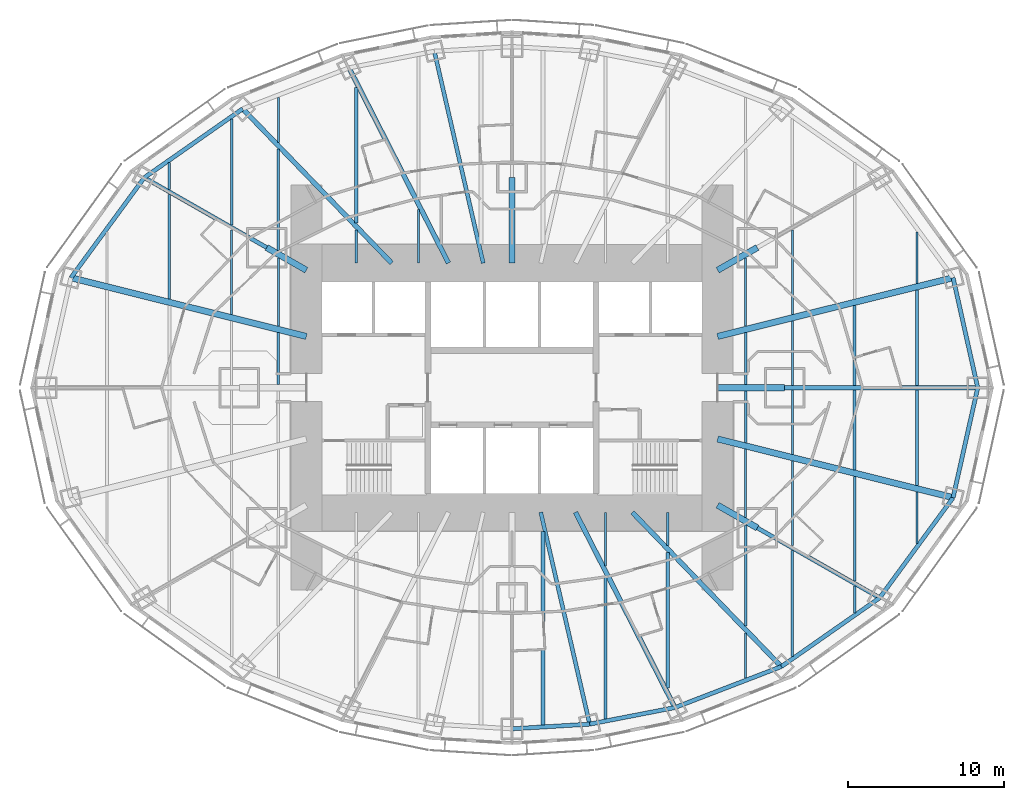
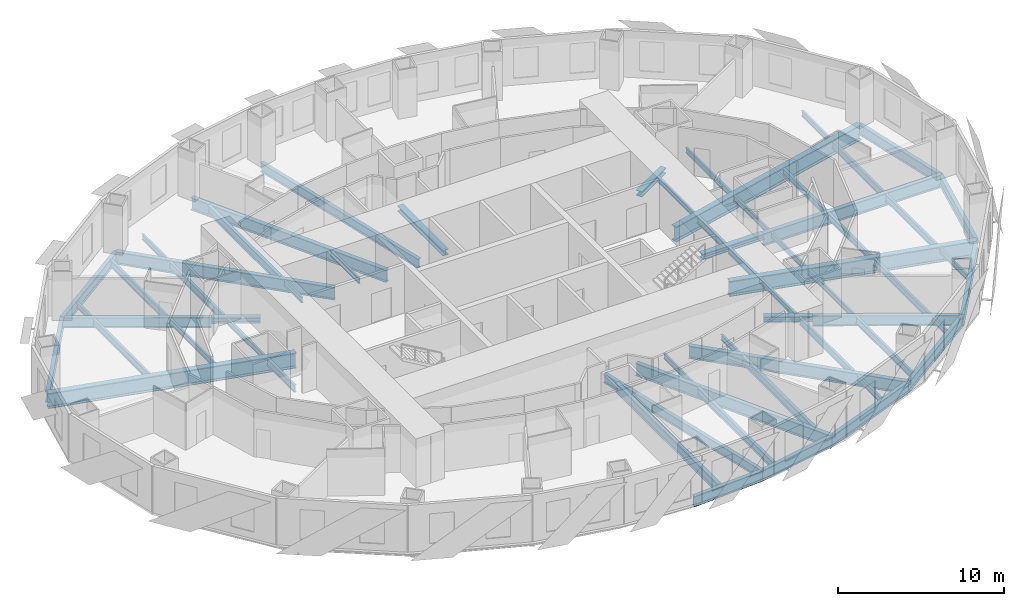
# One storey, part 2 of 15: 61 beams.
"""IFC4 building model written with IfcOpenShell, lengths in metres."""

from ifc_helpers import new_model, si_unit, direction, frame, origin, origin_2d, place, context, subcontext, project, spatial, i_section, extrude, material, material_profile, profile_set, type_object, element, save


model = new_model("IFC4")

# Units and contexts
model_context = context("Model", 3, precision=1e-05, world=origin(), true_north=direction((0.0, 1.0)))
body_context = subcontext(model_context, "Body", "Model", "MODEL_VIEW")
ifc_project = project(units=[si_unit("LENGTHUNIT", "METRE"), si_unit("AREAUNIT", "SQUARE_METRE"), si_unit("VOLUMEUNIT", "CUBIC_METRE"), si_unit("PLANEANGLEUNIT", "RADIAN"), si_unit("MASSUNIT", "GRAM", prefix="KILO")], contexts=[model_context])

# Site, building, storey
site_placement = place(None, origin())
site = spatial("IfcSite", under=ifc_project, at=site_placement, CompositionType="ELEMENT")
building_placement = place(site_placement, origin())
building = spatial("IfcBuilding", under=site, at=building_placement, Name="Lantaw Convention Tower", CompositionType="ELEMENT")
storey_placement = place(building_placement, frame((0.0, 0.0, 83.800048828125)))
storey = spatial("IfcBuildingStorey", under=building, at=storey_placement, Name="L19", CompositionType="ELEMENT", Elevation=83.800048828125)

# Beams
ifc_material = material(Name="Steel ASTM A992", Category="steel")
ifc_material_profile_1 = material_profile(ifc_material, i_section(OverallWidth=0.2666015625, OverallDepth=0.76953125, WebThickness=0.015625, FlangeThickness=0.025390625, FilletRadius=0.0126953125, at=origin_2d()), Name="W30X132")
ifc_profile_set_1 = profile_set([ifc_material_profile_1], Name="Steel ASTM A992")
beam_type_1 = type_object("IfcBeamType", Name="Beam E W30X132", PredefinedType="SPANDREL", material=ifc_profile_set_1)
beam_1_placement = place(storey_placement, frame((29.89990234375, 0.0, -0.534912109375), z_axis=(-0.218652184873, 0.975802860239, 0.0), x_axis=(-0.975802860239, -0.218652184873, 0.0)))
element("IfcBeam", 1, at=beam_1_placement, inside=storey, type_object=beam_type_1, Name="Edge beam 1", PredefinedType="SPANDREL", context=body_context, shape_type="SweptSolid", body=[
    extrude(i_section(OverallWidth=0.2666015625, OverallDepth=0.76953125, WebThickness=0.015625, FlangeThickness=0.025390625, FilletRadius=0.0126953125, at=origin_2d()), origin(), (0.0, 0.0, 1.0), 7.2353515625),
])
beam_2_placement = place(storey_placement, frame((-17.290771484375, 17.9052734375, -0.534912109375), z_axis=(-0.81942686407, -0.57318375277, 0.0), x_axis=(0.57318375277, -0.81942686407, 0.0)))
element("IfcBeam", 2, at=beam_2_placement, inside=storey, type_object=beam_type_1, Name="Edge beam 10", PredefinedType="SPANDREL", context=body_context, shape_type="SweptSolid", body=[
    extrude(i_section(OverallWidth=0.2666015625, OverallDepth=0.76953125, WebThickness=0.015625, FlangeThickness=0.025390625, FilletRadius=0.0126953125, at=origin_2d()), origin(), (0.0, 0.0, 1.0), 7.70556640625),
])
beam_3_placement = place(storey_placement, frame((-23.60498046875, 13.488525390625, -0.534912109375), z_axis=(-0.591270709086, -0.806473154281, 0.0), x_axis=(0.806473154281, -0.591270709086, 0.0)))
element("IfcBeam", 3, at=beam_3_placement, inside=storey, type_object=beam_type_1, Name="Edge beam 11", PredefinedType="SPANDREL", context=body_context, shape_type="SweptSolid", body=[
    extrude(i_section(OverallWidth=0.2666015625, OverallDepth=0.76953125, WebThickness=0.015625, FlangeThickness=0.025390625, FilletRadius=0.0126953125, at=origin_2d()), origin(), (0.0, 0.0, 1.0), 7.970703125),
])
beam_4_placement = place(storey_placement, frame((0.0, -21.89990234375, -0.534912109375), z_axis=(0.998173858406, 0.060406526096, 0.0), x_axis=(-0.060406526096, 0.998173858406, 0.0)))
element("IfcBeam", 4, at=beam_4_placement, inside=storey, type_object=beam_type_1, Name="Edge beam 19", PredefinedType="SPANDREL", context=body_context, shape_type="SweptSolid", body=[
    extrude(i_section(OverallWidth=0.2666015625, OverallDepth=0.76953125, WebThickness=0.015625, FlangeThickness=0.025390625, FilletRadius=0.0126953125, at=origin_2d()), origin(), (0.0, 0.0, 1.0), 4.995361328125),
])
beam_5_placement = place(storey_placement, frame((4.986328125, -21.59814453125, -0.534912109375), z_axis=(0.981636565323, 0.190760723474, 0.0), x_axis=(-0.190760723474, 0.981636565323, 0.0)))
element("IfcBeam", 5, at=beam_5_placement, inside=storey, type_object=beam_type_1, Name="Edge beam 20", PredefinedType="SPANDREL", context=body_context, shape_type="SweptSolid", body=[
    extrude(i_section(OverallWidth=0.2666015625, OverallDepth=0.76953125, WebThickness=0.015625, FlangeThickness=0.025390625, FilletRadius=0.0126953125, at=origin_2d()), origin(), (0.0, 0.0, 1.0), 5.578857421875),
])
beam_6_placement = place(storey_placement, frame((10.462646484375, -20.533935546875, -0.534912109375), z_axis=(0.933232900641, 0.359271976588, 0.0), x_axis=(-0.359271976588, 0.933232900641, 0.0)))
element("IfcBeam", 6, at=beam_6_placement, inside=storey, type_object=beam_type_1, Name="Edge beam 21", PredefinedType="SPANDREL", context=body_context, shape_type="SweptSolid", body=[
    extrude(i_section(OverallWidth=0.2666015625, OverallDepth=0.76953125, WebThickness=0.015625, FlangeThickness=0.025390625, FilletRadius=0.0126953125, at=origin_2d()), origin(), (0.0, 0.0, 1.0), 7.316650390625),
])
beam_7_placement = place(storey_placement, frame((17.290771484375, -17.9052734375, -0.534912109375), z_axis=(0.81942686407, 0.57318375277, 0.0), x_axis=(-0.57318375277, 0.81942686407, 0.0)))
element("IfcBeam", 7, at=beam_7_placement, inside=storey, type_object=beam_type_1, Name="Edge beam 22", PredefinedType="SPANDREL", context=body_context, shape_type="SweptSolid", body=[
    extrude(i_section(OverallWidth=0.2666015625, OverallDepth=0.76953125, WebThickness=0.015625, FlangeThickness=0.025390625, FilletRadius=0.0126953125, at=origin_2d()), origin(), (0.0, 0.0, 1.0), 7.70556640625),
])
beam_8_placement = place(storey_placement, frame((23.60498046875, -13.488525390625, -0.534912109375), z_axis=(0.591270709086, 0.806473154281, 0.0), x_axis=(-0.806473154281, 0.591270709086, 0.0)))
element("IfcBeam", 8, at=beam_8_placement, inside=storey, type_object=beam_type_1, Name="Edge beam 23", PredefinedType="SPANDREL", context=body_context, shape_type="SweptSolid", body=[
    extrude(i_section(OverallWidth=0.2666015625, OverallDepth=0.76953125, WebThickness=0.015625, FlangeThickness=0.025390625, FilletRadius=0.0126953125, at=origin_2d()), origin(), (0.0, 0.0, 1.0), 7.970703125),
])
beam_9_placement = place(storey_placement, frame((28.31787109375, -7.060302734375, -0.534912109375), z_axis=(0.218652184873, 0.975802860239, 0.0), x_axis=(-0.975802860239, 0.218652184873, 0.0)))
element("IfcBeam", 9, at=beam_9_placement, inside=storey, type_object=beam_type_1, Name="Edge beam 24", PredefinedType="SPANDREL", context=body_context, shape_type="SweptSolid", body=[
    extrude(i_section(OverallWidth=0.2666015625, OverallDepth=0.76953125, WebThickness=0.015625, FlangeThickness=0.025390625, FilletRadius=0.0126953125, at=origin_2d()), origin(), (0.0, 0.0, 1.0), 7.2353515625),
])
ifc_material_profile_2 = material_profile(ifc_material, i_section(OverallWidth=0.25390625, OverallDepth=0.683349609375, WebThickness=0.012451171875, FlangeThickness=0.01904296875, FilletRadius=0.01513671875, at=origin_2d()), Name="W27X94")
ifc_profile_set_2 = profile_set([ifc_material_profile_2], Name="Steel ASTM A992")
beam_type_2 = type_object("IfcBeamType", Name="Beam G W27X94", PredefinedType="BEAM", material=ifc_profile_set_2)
for number, where, z_axis, x_axis, name in (
    (10, (-1.846923828125, 8.0, -0.49169921875), (-0.224952773175, 0.97436966796, 0.0), (-0.97436966796, -0.224952773175, 0.0), "Floor girder on ray 8"),
    (11, (1.846923828125, -8.0, -0.49169921875), (0.224952773175, -0.97436966796, 0.0), (0.97436966796, 0.224952773175, 0.0), "Floor girder on ray 20"),
):
    element("IfcBeam", number, at=place(storey_placement, frame(where, z_axis=z_axis, x_axis=x_axis)), inside=storey, type_object=beam_type_2, Name=name, PredefinedType="BEAM", context=body_context, shape_type="SweptSolid", body=[
        extrude(i_section(OverallWidth=0.25390625, OverallDepth=0.683349609375, WebThickness=0.012451171875, FlangeThickness=0.01904296875, FilletRadius=0.01513671875, at=origin_2d()), origin(), (0.0, 0.0, 1.0), 13.955810546875),
    ])
ifc_material_profile_3 = material_profile(ifc_material, i_section(OverallWidth=0.2666015625, OverallDepth=0.7568359375, WebThickness=0.013916015625, FlangeThickness=0.019287109375, FilletRadius=0.0126953125, at=origin_2d()), Name="W30X108")
ifc_profile_set_3 = profile_set([ifc_material_profile_3], Name="Steel ASTM A992")
beam_type_3 = type_object("IfcBeamType", Name="Beam G W30X108", PredefinedType="BEAM", material=ifc_profile_set_3)
for number, where, z_axis, x_axis, name in (
    (12, (-15.75, 9.0, -0.528564453125), (-0.868244802791, 0.496136032179, 0.0), (-0.496136032179, -0.868244802791, 0.0), "Floor girder on ray 11"),
    (13, (15.75, -9.0, -0.528564453125), (0.868244802791, -0.496136032179, 0.0), (0.496136032179, 0.868244802791, 0.0), "Floor girder on ray 23"),
):
    element("IfcBeam", number, at=place(storey_placement, frame(where, z_axis=z_axis, x_axis=x_axis)), inside=storey, type_object=beam_type_3, Name=name, PredefinedType="BEAM", context=body_context, shape_type="SweptSolid", body=[
        extrude(i_section(OverallWidth=0.2666015625, OverallDepth=0.7568359375, WebThickness=0.013916015625, FlangeThickness=0.019287109375, FilletRadius=0.0126953125, at=origin_2d()), origin(), (0.0, 0.0, 1.0), 9.046875),
    ])
ifc_material_profile_4 = material_profile(ifc_material, i_section(OverallWidth=0.307373046875, OverallDepth=0.922119140625, WebThickness=0.018310546875, FlangeThickness=0.030029296875, FilletRadius=0.0126953125, at=origin_2d()), Name="W36X182")
ifc_profile_set_4 = profile_set([ifc_material_profile_4], Name="Steel ASTM A992")
beam_type_4 = type_object("IfcBeamType", Name="Beam G W36X182", PredefinedType="BEAM", material=ifc_profile_set_4)
beam_10_placement = place(storey_placement, frame((17.5, 0.0, -0.611083984375), z_axis=(1.0, 0.0, 0.0), x_axis=(0.0, 1.0, 0.0)))
element("IfcBeam", 14, at=beam_10_placement, inside=storey, type_object=beam_type_4, Name="Floor girder on ray 1", PredefinedType="BEAM", context=body_context, shape_type="SweptSolid", body=[
    extrude(i_section(OverallWidth=0.307373046875, OverallDepth=0.922119140625, WebThickness=0.018310546875, FlangeThickness=0.030029296875, FilletRadius=0.0126953125, at=origin_2d()), origin(), (0.0, 0.0, 1.0), 12.39990234375),
])
beam_11_placement = place(storey_placement, frame((-4.076171875, 8.0, -0.611083984375), z_axis=(-0.453997016122, 0.891003203896, 0.0), x_axis=(-0.891003203896, -0.453997016122, 0.0)))
element("IfcBeam", 15, at=beam_11_placement, inside=storey, type_object=beam_type_4, Name="Floor girder on ray 9", PredefinedType="BEAM", context=body_context, shape_type="SweptSolid", body=[
    extrude(i_section(OverallWidth=0.307373046875, OverallDepth=0.922119140625, WebThickness=0.018310546875, FlangeThickness=0.030029296875, FilletRadius=0.0126953125, at=origin_2d()), origin(), (0.0, 0.0, 1.0), 14.067138671875),
])
beam_12_placement = place(storey_placement, frame((-7.7255859375, 8.0, -0.611083984375), z_axis=(-0.694649884291, 0.719347995239, 0.0), x_axis=(-0.719347995239, -0.694649884291, 0.0)))
element("IfcBeam", 16, at=beam_12_placement, inside=storey, type_object=beam_type_4, Name="Floor girder on ray 10", PredefinedType="BEAM", context=body_context, shape_type="SweptSolid", body=[
    extrude(i_section(OverallWidth=0.307373046875, OverallDepth=0.922119140625, WebThickness=0.018310546875, FlangeThickness=0.030029296875, FilletRadius=0.0126953125, at=origin_2d()), origin(), (0.0, 0.0, 1.0), 13.769775390625),
])
beam_13_placement = place(storey_placement, frame((4.076171875, -8.0, -0.611083984375), z_axis=(0.453997016122, -0.891003203896, 0.0), x_axis=(0.891003203896, 0.453997016122, 0.0)))
element("IfcBeam", 17, at=beam_13_placement, inside=storey, type_object=beam_type_4, Name="Floor girder on ray 21", PredefinedType="BEAM", context=body_context, shape_type="SweptSolid", body=[
    extrude(i_section(OverallWidth=0.307373046875, OverallDepth=0.922119140625, WebThickness=0.018310546875, FlangeThickness=0.030029296875, FilletRadius=0.0126953125, at=origin_2d()), origin(), (0.0, 0.0, 1.0), 14.067138671875),
])
beam_14_placement = place(storey_placement, frame((7.7255859375, -8.0, -0.611083984375), z_axis=(0.694649884291, -0.719347995239, 0.0), x_axis=(0.719347995239, 0.694649884291, 0.0)))
element("IfcBeam", 18, at=beam_14_placement, inside=storey, type_object=beam_type_4, Name="Floor girder on ray 22", PredefinedType="BEAM", context=body_context, shape_type="SweptSolid", body=[
    extrude(i_section(OverallWidth=0.307373046875, OverallDepth=0.922119140625, WebThickness=0.018310546875, FlangeThickness=0.030029296875, FilletRadius=0.0126953125, at=origin_2d()), origin(), (0.0, 0.0, 1.0), 13.769775390625),
])
ifc_material_profile_5 = material_profile(ifc_material, i_section(OverallWidth=0.40380859375, OverallDepth=1.11767578125, WebThickness=0.026123046875, FlangeThickness=0.044921875, FilletRadius=0.02001953125, at=origin_2d()), Name="W44X335")
ifc_profile_set_5 = profile_set([ifc_material_profile_5], Name="Steel ASTM A992")
beam_type_5 = type_object("IfcBeamType", Name="Beam G W44X335", PredefinedType="BEAM", material=ifc_profile_set_5)
for number, where, z_axis, x_axis, name in (
    (19, (13.199951171875, 3.291015625, -0.708740234375), (0.970296233567, 0.241919860957, 0.0), (-0.241919860957, 0.970296233567, 0.0), "Floor girder on ray 2"),
    (20, (-13.199951171875, 3.291015625, -0.708740234375), (-0.970296233567, 0.241919860957, 0.0), (-0.241919860957, -0.970296233567, 0.0), "Floor girder on ray 12"),
    (21, (13.199951171875, -3.291015625, -0.708740234375), (0.970296233567, -0.241919860957, 0.0), (0.241919860957, 0.970296233567, 0.0), "Floor girder on ray 24"),
):
    element("IfcBeam", number, at=place(storey_placement, frame(where, z_axis=z_axis, x_axis=x_axis)), inside=storey, type_object=beam_type_5, Name=name, PredefinedType="BEAM", context=body_context, shape_type="SweptSolid", body=[
        extrude(i_section(OverallWidth=0.40380859375, OverallDepth=1.11767578125, WebThickness=0.026123046875, FlangeThickness=0.044921875, FilletRadius=0.02001953125, at=origin_2d()), origin(), (0.0, 0.0, 1.0), 15.580810546875),
    ])
ifc_material_profile_6 = material_profile(ifc_material, i_section(OverallWidth=0.40380859375, OverallDepth=0.406494140625, WebThickness=0.027099609375, FlangeThickness=0.043701171875, FilletRadius=0.01513671875, at=origin_2d()), Name="W14X233")
ifc_profile_set_6 = profile_set([ifc_material_profile_6], Name="Steel ASTM A992")
beam_type_6 = type_object("IfcBeamType", Name="Beam GM W14X233", PredefinedType="BEAM", material=ifc_profile_set_6)
beam_15_placement = place(storey_placement, frame((13.199951171875, 0.0, -0.353271484375), z_axis=(1.0, 0.0, 0.0), x_axis=(0.0, 1.0, 0.0)))
element("IfcBeam", 22, at=beam_15_placement, inside=storey, type_object=beam_type_6, Name="Core link beam on ray 1", PredefinedType="BEAM", context=body_context, shape_type="SweptSolid", body=[
    extrude(i_section(OverallWidth=0.40380859375, OverallDepth=0.406494140625, WebThickness=0.027099609375, FlangeThickness=0.043701171875, FilletRadius=0.01513671875, at=origin_2d()), origin(), (0.0, 0.0, 1.0), 4.300048828125),
])
beam_16_placement = place(storey_placement, frame((13.199951171875, 7.54296875, -0.353271484375), z_axis=(0.868263603466, 0.496103129295, 0.0), x_axis=(-0.496103129295, 0.868263603466, 0.0)))
element("IfcBeam", 23, at=beam_16_placement, inside=storey, type_object=beam_type_6, Name="Core link beam on ray 3", PredefinedType="BEAM", context=body_context, shape_type="SweptSolid", body=[
    extrude(i_section(OverallWidth=0.40380859375, OverallDepth=0.406494140625, WebThickness=0.027099609375, FlangeThickness=0.043701171875, FilletRadius=0.01513671875, at=origin_2d()), origin(), (0.0, 0.0, 1.0), 2.93701171875),
])
beam_17_placement = place(storey_placement, frame((0.0, 8.0, -0.353271484375), z_axis=(0.0, 1.0, 0.0), x_axis=(-1.0, 0.0, 0.0)))
element("IfcBeam", 24, at=beam_17_placement, inside=storey, type_object=beam_type_6, Name="Core link beam on ray 7", PredefinedType="BEAM", context=body_context, shape_type="SweptSolid", body=[
    extrude(i_section(OverallWidth=0.40380859375, OverallDepth=0.406494140625, WebThickness=0.027099609375, FlangeThickness=0.043701171875, FilletRadius=0.01513671875, at=origin_2d()), origin(), (0.0, 0.0, 1.0), 5.5),
])
for number, where, z_axis, x_axis, name in (
    (25, (-13.199951171875, 7.54296875, -0.353271484375), (-0.868263603466, 0.496103129295, 0.0), (-0.496103129295, -0.868263603466, 0.0), "Core link beam on ray 11"),
    (26, (13.199951171875, -7.54296875, -0.353271484375), (0.868263603466, -0.496103129295, 0.0), (0.496103129295, 0.868263603466, 0.0), "Core link beam on ray 23"),
):
    element("IfcBeam", number, at=place(storey_placement, frame(where, z_axis=z_axis, x_axis=x_axis)), inside=storey, type_object=beam_type_6, Name=name, PredefinedType="BEAM", context=body_context, shape_type="SweptSolid", body=[
        extrude(i_section(OverallWidth=0.40380859375, OverallDepth=0.406494140625, WebThickness=0.027099609375, FlangeThickness=0.043701171875, FilletRadius=0.01513671875, at=origin_2d()), origin(), (0.0, 0.0, 1.0), 2.93701171875),
    ])
ifc_material_profile_7 = material_profile(ifc_material, i_section(OverallWidth=0.140380859375, OverallDepth=0.40380859375, WebThickness=0.007080078125, FlangeThickness=0.01123046875, FilletRadius=0.01025390625, at=origin_2d()), Name="W16X31")
ifc_profile_set_7 = profile_set([ifc_material_profile_7], Name="Steel ASTM A992")
beam_type_7 = type_object("IfcBeamType", Name="Beam J W16X31", PredefinedType="JOIST", material=ifc_profile_set_7)
beam_18_placement = place(storey_placement, frame((-22.0, 12.72509765625, -0.35205078125), z_axis=(0.0, 1.0, 0.0), x_axis=(-1.0, 0.0, 0.0)))
element("IfcBeam", 27, at=beam_18_placement, inside=storey, type_object=beam_type_7, Name="Floor joist", PredefinedType="JOIST", context=body_context, shape_type="SweptSolid", body=[
    extrude(i_section(OverallWidth=0.140380859375, OverallDepth=0.40380859375, WebThickness=0.007080078125, FlangeThickness=0.01123046875, FilletRadius=0.01025390625, at=origin_2d()), origin(), (0.0, 0.0, 1.0), 1.723388671875),
])
beam_19_placement = place(storey_placement, frame((-18.0, 4.696044921875, -0.35205078125), z_axis=(0.0, 1.0, 0.0), x_axis=(-1.0, 0.0, 0.0)))
element("IfcBeam", 28, at=beam_19_placement, inside=storey, type_object=beam_type_7, Name="Floor joist", PredefinedType="JOIST", context=body_context, shape_type="SweptSolid", body=[
    extrude(i_section(OverallWidth=0.140380859375, OverallDepth=0.40380859375, WebThickness=0.007080078125, FlangeThickness=0.01123046875, FilletRadius=0.01025390625, at=origin_2d()), origin(), (0.0, 0.0, 1.0), 5.43603515625),
])
beam_20_placement = place(storey_placement, frame((-15.0, 3.947998046875, -0.35205078125), z_axis=(0.0, 1.0, 0.0), x_axis=(-1.0, 0.0, 0.0)))
element("IfcBeam", 29, at=beam_20_placement, inside=storey, type_object=beam_type_7, Name="Floor joist", PredefinedType="JOIST", context=body_context, shape_type="SweptSolid", body=[
    extrude(i_section(OverallWidth=0.140380859375, OverallDepth=0.40380859375, WebThickness=0.007080078125, FlangeThickness=0.01123046875, FilletRadius=0.01025390625, at=origin_2d()), origin(), (0.0, 0.0, 1.0), 4.390869140625),
])
beam_21_placement = place(storey_placement, frame((-15.0, 15.754150390625, -0.35205078125), z_axis=(0.0, 1.0, 0.0), x_axis=(-1.0, 0.0, 0.0)))
element("IfcBeam", 30, at=beam_21_placement, inside=storey, type_object=beam_type_7, Name="Floor joist", PredefinedType="JOIST", context=body_context, shape_type="SweptSolid", body=[
    extrude(i_section(OverallWidth=0.140380859375, OverallDepth=0.40380859375, WebThickness=0.007080078125, FlangeThickness=0.01123046875, FilletRadius=0.01025390625, at=origin_2d()), origin(), (0.0, 0.0, 1.0), 2.89013671875),
])
beam_22_placement = place(storey_placement, frame((-10.0, 8.0, -0.35205078125), z_axis=(0.0, 1.0, 0.0), x_axis=(-1.0, 0.0, 0.0)))
element("IfcBeam", 31, at=beam_22_placement, inside=storey, type_object=beam_type_7, Name="Floor joist", PredefinedType="JOIST", context=body_context, shape_type="SweptSolid", body=[
    extrude(i_section(OverallWidth=0.140380859375, OverallDepth=0.40380859375, WebThickness=0.007080078125, FlangeThickness=0.01123046875, FilletRadius=0.01025390625, at=origin_2d()), origin(), (0.0, 0.0, 1.0), 2.134033203125),
])
for number, where, z_axis, x_axis, name in (
    (32, (-6.0, 8.0, -0.35205078125), (0.0, 1.0, 0.0), (-1.0, 0.0, 0.0), "Floor joist"),
    (33, (6.0, -11.437255859375, -0.35205078125), (0.0, 1.0, 0.0), (-1.0, 0.0, 0.0), "Floor joist"),
):
    element("IfcBeam", number, at=place(storey_placement, frame(where, z_axis=z_axis, x_axis=x_axis)), inside=storey, type_object=beam_type_7, Name=name, PredefinedType="JOIST", context=body_context, shape_type="SweptSolid", body=[
        extrude(i_section(OverallWidth=0.140380859375, OverallDepth=0.40380859375, WebThickness=0.007080078125, FlangeThickness=0.01123046875, FilletRadius=0.01025390625, at=origin_2d()), origin(), (0.0, 0.0, 1.0), 3.437255859375),
    ])
beam_23_placement = place(storey_placement, frame((10.0, -10.134033203125, -0.35205078125), z_axis=(0.0, 1.0, 0.0), x_axis=(-1.0, 0.0, 0.0)))
element("IfcBeam", 34, at=beam_23_placement, inside=storey, type_object=beam_type_7, Name="Floor joist", PredefinedType="JOIST", context=body_context, shape_type="SweptSolid", body=[
    extrude(i_section(OverallWidth=0.140380859375, OverallDepth=0.40380859375, WebThickness=0.007080078125, FlangeThickness=0.01123046875, FilletRadius=0.01025390625, at=origin_2d()), origin(), (0.0, 0.0, 1.0), 2.134033203125),
])
beam_24_placement = place(storey_placement, frame((15.0, -18.644287109375, -0.35205078125), z_axis=(0.0, 1.0, 0.0), x_axis=(-1.0, 0.0, 0.0)))
element("IfcBeam", 35, at=beam_24_placement, inside=storey, type_object=beam_type_7, Name="Floor joist", PredefinedType="JOIST", context=body_context, shape_type="SweptSolid", body=[
    extrude(i_section(OverallWidth=0.140380859375, OverallDepth=0.40380859375, WebThickness=0.007080078125, FlangeThickness=0.01123046875, FilletRadius=0.01025390625, at=origin_2d()), origin(), (0.0, 0.0, 1.0), 2.89013671875),
])
for number, where, z_axis, x_axis, name in (
    (36, (15.0, -8.3388671875, -0.35205078125), (0.0, 1.0, 0.0), (-1.0, 0.0, 0.0), "Floor joist"),
    (37, (15.0, 3.947998046875, -0.35205078125), (0.0, 1.0, 0.0), (-1.0, 0.0, 0.0), "Floor joist"),
):
    element("IfcBeam", number, at=place(storey_placement, frame(where, z_axis=z_axis, x_axis=x_axis)), inside=storey, type_object=beam_type_7, Name=name, PredefinedType="JOIST", context=body_context, shape_type="SweptSolid", body=[
        extrude(i_section(OverallWidth=0.140380859375, OverallDepth=0.40380859375, WebThickness=0.007080078125, FlangeThickness=0.01123046875, FilletRadius=0.01025390625, at=origin_2d()), origin(), (0.0, 0.0, 1.0), 4.390869140625),
    ])
beam_25_placement = place(storey_placement, frame((18.0, -10.132080078125, -0.35205078125), z_axis=(0.0, 1.0, 0.0), x_axis=(-1.0, 0.0, 0.0)))
element("IfcBeam", 38, at=beam_25_placement, inside=storey, type_object=beam_type_7, Name="Floor joist", PredefinedType="JOIST", context=body_context, shape_type="SweptSolid", body=[
    extrude(i_section(OverallWidth=0.140380859375, OverallDepth=0.40380859375, WebThickness=0.007080078125, FlangeThickness=0.01123046875, FilletRadius=0.01025390625, at=origin_2d()), origin(), (0.0, 0.0, 1.0), 5.43603515625),
])
for number, where, z_axis, x_axis, name in (
    (39, (18.0, -4.27978515625, -0.35205078125), (0.0, 1.0, 0.0), (-1.0, 0.0, 0.0), "Floor joist"),
    (40, (18.0, 0.153564453125, -0.35205078125), (0.0, 1.0, 0.0), (-1.0, 0.0, 0.0), "Floor joist"),
):
    element("IfcBeam", number, at=place(storey_placement, frame(where, z_axis=z_axis, x_axis=x_axis)), inside=storey, type_object=beam_type_7, Name=name, PredefinedType="JOIST", context=body_context, shape_type="SweptSolid", body=[
        extrude(i_section(OverallWidth=0.140380859375, OverallDepth=0.40380859375, WebThickness=0.007080078125, FlangeThickness=0.01123046875, FilletRadius=0.01025390625, at=origin_2d()), origin(), (0.0, 0.0, 1.0), 4.126220703125),
    ])
beam_26_placement = place(storey_placement, frame((18.0, 4.696044921875, -0.35205078125), z_axis=(0.0, 1.0, 0.0), x_axis=(-1.0, 0.0, 0.0)))
element("IfcBeam", 41, at=beam_26_placement, inside=storey, type_object=beam_type_7, Name="Floor joist", PredefinedType="JOIST", context=body_context, shape_type="SweptSolid", body=[
    extrude(i_section(OverallWidth=0.140380859375, OverallDepth=0.40380859375, WebThickness=0.007080078125, FlangeThickness=0.01123046875, FilletRadius=0.01025390625, at=origin_2d()), origin(), (0.0, 0.0, 1.0), 5.43603515625),
])
beam_27_placement = place(storey_placement, frame((22.0, -14.448486328125, -0.35205078125), z_axis=(0.0, 1.0, 0.0), x_axis=(-1.0, 0.0, 0.0)))
element("IfcBeam", 42, at=beam_27_placement, inside=storey, type_object=beam_type_7, Name="Floor joist", PredefinedType="JOIST", context=body_context, shape_type="SweptSolid", body=[
    extrude(i_section(OverallWidth=0.140380859375, OverallDepth=0.40380859375, WebThickness=0.007080078125, FlangeThickness=0.01123046875, FilletRadius=0.01025390625, at=origin_2d()), origin(), (0.0, 0.0, 1.0), 1.723388671875),
])
for number, where, z_axis, x_axis, name in (
    (43, (26.0, -9.996337890625, -0.35205078125), (0.0, 1.0, 0.0), (-1.0, 0.0, 0.0), "Floor joist"),
    (44, (26.0, 6.690673828125, -0.35205078125), (0.0, 1.0, 0.0), (-1.0, 0.0, 0.0), "Floor joist"),
):
    element("IfcBeam", number, at=place(storey_placement, frame(where, z_axis=z_axis, x_axis=x_axis)), inside=storey, type_object=beam_type_7, Name=name, PredefinedType="JOIST", context=body_context, shape_type="SweptSolid", body=[
        extrude(i_section(OverallWidth=0.140380859375, OverallDepth=0.40380859375, WebThickness=0.007080078125, FlangeThickness=0.01123046875, FilletRadius=0.01025390625, at=origin_2d()), origin(), (0.0, 0.0, 1.0), 3.3056640625),
    ])
ifc_material_profile_8 = material_profile(ifc_material, i_section(OverallWidth=0.1904296875, OverallDepth=0.457275390625, WebThickness=0.009033203125, FlangeThickness=0.014404296875, FilletRadius=0.01025390625, at=origin_2d()), Name="W18X50")
ifc_profile_set_8 = profile_set([ifc_material_profile_8], Name="Steel ASTM A992")
beam_type_8 = type_object("IfcBeamType", Name="Beam J W18X50", PredefinedType="JOIST", material=ifc_profile_set_8)
for number, where, z_axis, x_axis, name in (
    (45, (22.0, -5.277099609375, -0.378662109375), (0.0, 1.0, 0.0), (-1.0, 0.0, 0.0), "Floor joist"),
    (46, (22.0, 0.153564453125, -0.378662109375), (0.0, 1.0, 0.0), (-1.0, 0.0, 0.0), "Floor joist"),
):
    element("IfcBeam", number, at=place(storey_placement, frame(where, z_axis=z_axis, x_axis=x_axis)), inside=storey, type_object=beam_type_8, Name=name, PredefinedType="JOIST", context=body_context, shape_type="SweptSolid", body=[
        extrude(i_section(OverallWidth=0.1904296875, OverallDepth=0.457275390625, WebThickness=0.009033203125, FlangeThickness=0.014404296875, FilletRadius=0.01025390625, at=origin_2d()), origin(), (0.0, 0.0, 1.0), 5.12353515625),
    ])
ifc_material_profile_9 = material_profile(ifc_material, i_section(OverallWidth=0.1650390625, OverallDepth=0.52587890625, WebThickness=0.0087890625, FlangeThickness=0.011474609375, FilletRadius=0.0126953125, at=origin_2d()), Name="W21X44")
ifc_profile_set_9 = profile_set([ifc_material_profile_9], Name="Steel ASTM A992")
beam_type_9 = type_object("IfcBeamType", Name="Beam J W21X44", PredefinedType="JOIST", material=ifc_profile_set_9)
beam_28_placement = place(storey_placement, frame((-22.0, 5.693359375, -0.412841796875), z_axis=(0.0, 1.0, 0.0), x_axis=(-1.0, 0.0, 0.0)))
element("IfcBeam", 47, at=beam_28_placement, inside=storey, type_object=beam_type_9, Name="Floor joist", PredefinedType="JOIST", context=body_context, shape_type="SweptSolid", body=[
    extrude(i_section(OverallWidth=0.1650390625, OverallDepth=0.52587890625, WebThickness=0.0087890625, FlangeThickness=0.011474609375, FilletRadius=0.0126953125, at=origin_2d()), origin(), (0.0, 0.0, 1.0), 6.724609375),
])
beam_29_placement = place(storey_placement, frame((-18.0, 10.439208984375, -0.412841796875), z_axis=(0.0, 1.0, 0.0), x_axis=(-1.0, 0.0, 0.0)))
element("IfcBeam", 48, at=beam_29_placement, inside=storey, type_object=beam_type_9, Name="Floor joist", PredefinedType="JOIST", context=body_context, shape_type="SweptSolid", body=[
    extrude(i_section(OverallWidth=0.1650390625, OverallDepth=0.52587890625, WebThickness=0.0087890625, FlangeThickness=0.011474609375, FilletRadius=0.0126953125, at=origin_2d()), origin(), (0.0, 0.0, 1.0), 6.80712890625),
])
for number, where, z_axis, x_axis, name in (
    (49, (-15.0, 8.803955078125, -0.412841796875), (0.0, 1.0, 0.0), (-1.0, 0.0, 0.0), "Floor joist"),
    (50, (15.0, -15.311767578125, -0.412841796875), (0.0, 1.0, 0.0), (-1.0, 0.0, 0.0), "Floor joist"),
):
    element("IfcBeam", number, at=place(storey_placement, frame(where, z_axis=z_axis, x_axis=x_axis)), inside=storey, type_object=beam_type_9, Name=name, PredefinedType="JOIST", context=body_context, shape_type="SweptSolid", body=[
        extrude(i_section(OverallWidth=0.1650390625, OverallDepth=0.52587890625, WebThickness=0.0087890625, FlangeThickness=0.011474609375, FilletRadius=0.0126953125, at=origin_2d()), origin(), (0.0, 0.0, 1.0), 6.5078125),
    ])
beam_30_placement = place(storey_placement, frame((18.0, -17.246337890625, -0.412841796875), z_axis=(0.0, 1.0, 0.0), x_axis=(-1.0, 0.0, 0.0)))
element("IfcBeam", 51, at=beam_30_placement, inside=storey, type_object=beam_type_9, Name="Floor joist", PredefinedType="JOIST", context=body_context, shape_type="SweptSolid", body=[
    extrude(i_section(OverallWidth=0.1650390625, OverallDepth=0.52587890625, WebThickness=0.0087890625, FlangeThickness=0.011474609375, FilletRadius=0.0126953125, at=origin_2d()), origin(), (0.0, 0.0, 1.0), 6.80712890625),
])
beam_31_placement = place(storey_placement, frame((22.0, -12.41796875, -0.412841796875), z_axis=(0.0, 1.0, 0.0), x_axis=(-1.0, 0.0, 0.0)))
element("IfcBeam", 52, at=beam_31_placement, inside=storey, type_object=beam_type_9, Name="Floor joist", PredefinedType="JOIST", context=body_context, shape_type="SweptSolid", body=[
    extrude(i_section(OverallWidth=0.1650390625, OverallDepth=0.52587890625, WebThickness=0.0087890625, FlangeThickness=0.011474609375, FilletRadius=0.0126953125, at=origin_2d()), origin(), (0.0, 0.0, 1.0), 6.724609375),
])
ifc_material_profile_10 = material_profile(ifc_material, i_section(OverallWidth=0.165771484375, OverallDepth=0.5283203125, WebThickness=0.009765625, FlangeThickness=0.013671875, FilletRadius=0.012939453125, at=origin_2d()), Name="W21X50")
ifc_profile_set_10 = profile_set([ifc_material_profile_10], Name="Steel ASTM A992")
beam_type_10 = type_object("IfcBeamType", Name="Beam J W21X50", PredefinedType="JOIST", material=ifc_profile_set_10)
for number, where, z_axis, x_axis, name in (
    (53, (-15.0, 0.201904296875, -0.414306640625), (0.0, 1.0, 0.0), (-1.0, 0.0, 0.0), "Floor joist"),
    (54, (15.0, -3.53173828125, -0.414306640625), (0.0, 1.0, 0.0), (-1.0, 0.0, 0.0), "Floor joist"),
    (55, (15.0, 0.201904296875, -0.414306640625), (0.0, 1.0, 0.0), (-1.0, 0.0, 0.0), "Floor joist"),
):
    element("IfcBeam", number, at=place(storey_placement, frame(where, z_axis=z_axis, x_axis=x_axis)), inside=storey, type_object=beam_type_10, Name=name, PredefinedType="JOIST", context=body_context, shape_type="SweptSolid", body=[
        extrude(i_section(OverallWidth=0.165771484375, OverallDepth=0.5283203125, WebThickness=0.009765625, FlangeThickness=0.013671875, FilletRadius=0.012939453125, at=origin_2d()), origin(), (0.0, 0.0, 1.0), 3.329833984375),
    ])
for number, where, z_axis, x_axis, name in (
    (56, (26.0, -6.2744140625, -0.414306640625), (0.0, 1.0, 0.0), (-1.0, 0.0, 0.0), "Floor joist"),
    (57, (26.0, 0.153564453125, -0.414306640625), (0.0, 1.0, 0.0), (-1.0, 0.0, 0.0), "Floor joist"),
):
    element("IfcBeam", number, at=place(storey_placement, frame(where, z_axis=z_axis, x_axis=x_axis)), inside=storey, type_object=beam_type_10, Name=name, PredefinedType="JOIST", context=body_context, shape_type="SweptSolid", body=[
        extrude(i_section(OverallWidth=0.165771484375, OverallDepth=0.5283203125, WebThickness=0.009765625, FlangeThickness=0.013671875, FilletRadius=0.012939453125, at=origin_2d()), origin(), (0.0, 0.0, 1.0), 6.120849609375),
    ])
ifc_material_profile_11 = material_profile(ifc_material, i_section(OverallWidth=0.2099609375, OverallDepth=0.535888671875, WebThickness=0.010986328125, FlangeThickness=0.017333984375, FilletRadius=0.012939453125, at=origin_2d()), Name="W21X68")
ifc_profile_set_11 = profile_set([ifc_material_profile_11], Name="Steel ASTM A992")
beam_type_11 = type_object("IfcBeamType", Name="Beam J W21X68", PredefinedType="JOIST", material=ifc_profile_set_11)
beam_32_placement = place(storey_placement, frame((6.0, -21.26513671875, -0.41796875), z_axis=(0.0, 1.0, 0.0), x_axis=(-1.0, 0.0, 0.0)))
element("IfcBeam", 58, at=beam_32_placement, inside=storey, type_object=beam_type_11, Name="Floor joist", PredefinedType="JOIST", context=body_context, shape_type="SweptSolid", body=[
    extrude(i_section(OverallWidth=0.2099609375, OverallDepth=0.535888671875, WebThickness=0.010986328125, FlangeThickness=0.017333984375, FilletRadius=0.012939453125, at=origin_2d()), origin(), (0.0, 0.0, 1.0), 9.15087890625),
])
ifc_material_profile_12 = material_profile(ifc_material, i_section(OverallWidth=0.227783203125, OverallDepth=0.60205078125, WebThickness=0.010498046875, FlangeThickness=0.014892578125, FilletRadius=0.012939453125, at=origin_2d()), Name="W24X68")
ifc_profile_set_12 = profile_set([ifc_material_profile_12], Name="Steel ASTM A992")
beam_type_12 = type_object("IfcBeamType", Name="Beam J W24X68", PredefinedType="JOIST", material=ifc_profile_set_12)
for number, where, z_axis, x_axis, name in (
    (59, (-10.0, 10.576416015625, -0.450927734375), (0.0, 1.0, 0.0), (-1.0, 0.0, 0.0), "Floor joist"),
    (60, (10.0, -19.28759765625, -0.450927734375), (0.0, 1.0, 0.0), (-1.0, 0.0, 0.0), "Floor joist"),
):
    element("IfcBeam", number, at=place(storey_placement, frame(where, z_axis=z_axis, x_axis=x_axis)), inside=storey, type_object=beam_type_12, Name=name, PredefinedType="JOIST", context=body_context, shape_type="SweptSolid", body=[
        extrude(i_section(OverallWidth=0.227783203125, OverallDepth=0.60205078125, WebThickness=0.010498046875, FlangeThickness=0.014892578125, FilletRadius=0.012939453125, at=origin_2d()), origin(), (0.0, 0.0, 1.0), 8.711181640625),
    ])
ifc_material_profile_13 = material_profile(ifc_material, i_section(OverallWidth=0.25390625, OverallDepth=0.700927734375, WebThickness=0.015380859375, FlangeThickness=0.02783203125, FilletRadius=0.01513671875, at=origin_2d()), Name="W27X129")
ifc_profile_set_13 = profile_set([ifc_material_profile_13], Name="Steel ASTM A992")
beam_type_13 = type_object("IfcBeamType", Name="Beam J W27X129", PredefinedType="JOIST", material=ifc_profile_set_13)
beam_33_placement = place(storey_placement, frame((2.0, -21.645263671875, -0.50048828125), z_axis=(0.0, 1.0, 0.0), x_axis=(-1.0, 0.0, 0.0)))
element("IfcBeam", 61, at=beam_33_placement, inside=storey, type_object=beam_type_13, Name="Floor joist", PredefinedType="JOIST", context=body_context, shape_type="SweptSolid", body=[
    extrude(i_section(OverallWidth=0.25390625, OverallDepth=0.700927734375, WebThickness=0.015380859375, FlangeThickness=0.02783203125, FilletRadius=0.01513671875, at=origin_2d()), origin(), (0.0, 0.0, 1.0), 12.417724609375),
])

save(model, "model.ifc")
